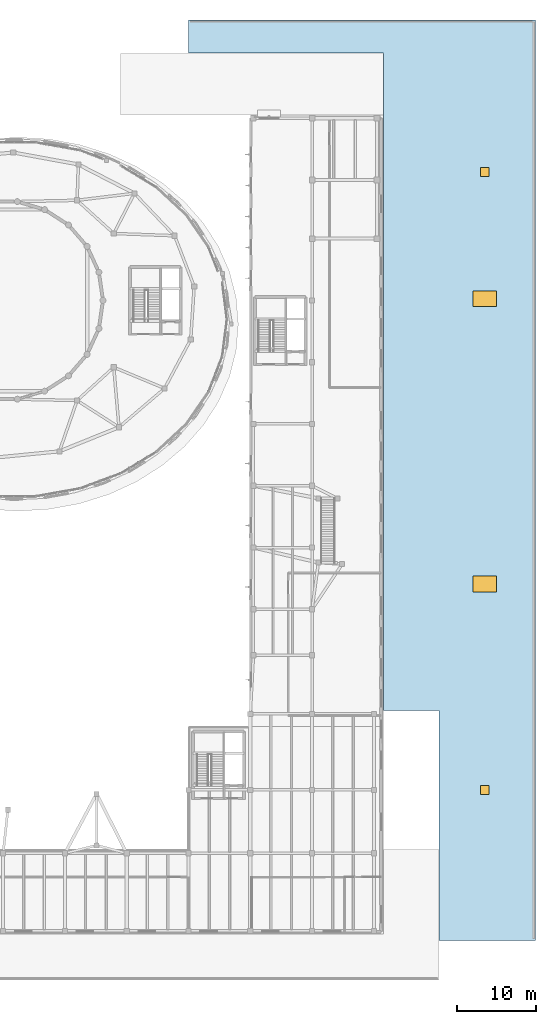
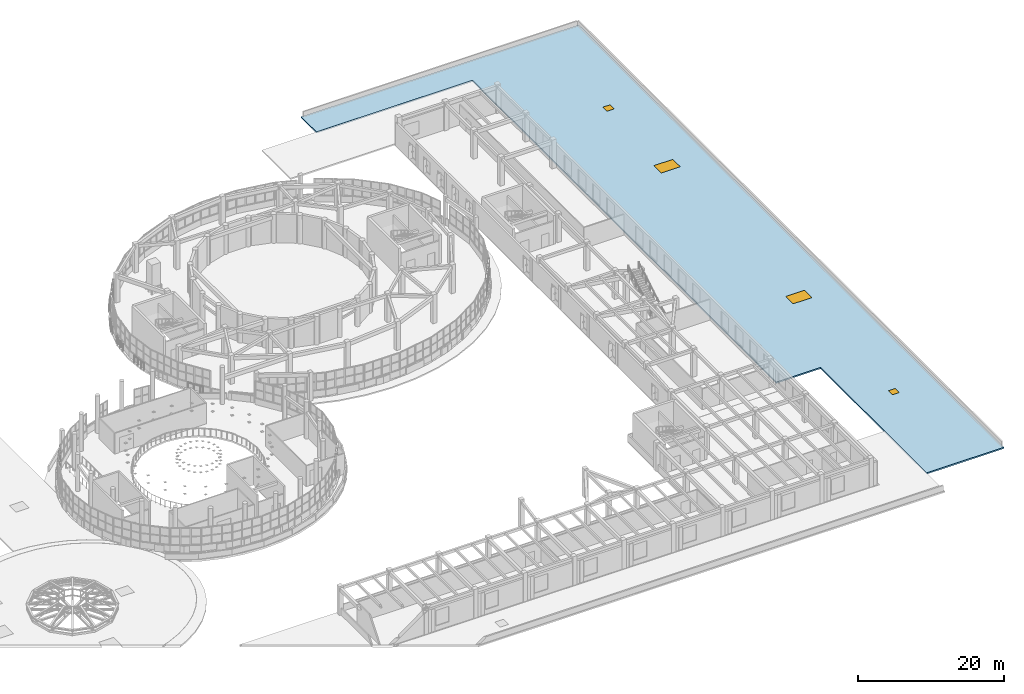
# One storey, part 80 of 105: 2 doors, 2 windows, 1 slab, 4 openings.
"""IFC4 building model written with IfcOpenShell, lengths in metres."""

from ifc_helpers import new_model, si_unit, direction, frame, origin, origin_2d, place, context, subcontext, project, spatial, polyline, rectangle, outline, extrude, material, layer, layer_set, type_object, element, fill, save


model = new_model("IFC4")

# Units and contexts
model_context = context("Model", 3, precision=1e-05, world=origin(), true_north=direction((0.0, 1.0)))
body_context = subcontext(model_context, "Body", "Model", "MODEL_VIEW")
ifc_project = project(units=[si_unit("LENGTHUNIT", "METRE"), si_unit("AREAUNIT", "SQUARE_METRE"), si_unit("VOLUMEUNIT", "CUBIC_METRE"), si_unit("PLANEANGLEUNIT", "RADIAN"), si_unit("MASSUNIT", "GRAM", prefix="KILO")], contexts=[model_context])

# Site, building, storey
site_placement = place(None, origin())
site = spatial("IfcSite", under=ifc_project, at=site_placement, CompositionType="ELEMENT")
building_placement = place(site_placement, origin())
building = spatial("IfcBuilding", under=site, at=building_placement, Name="Pelvatis Terrace Science Centre", CompositionType="ELEMENT")
storey_placement = place(building_placement, frame((0.0, 0.0, 10.199951171875)))
storey = spatial("IfcBuildingStorey", under=building, at=storey_placement, Name="L02", CompositionType="ELEMENT", Elevation=10.199951171875)

# Slab, openings, windows, doors
ifc_material_1 = material(Name="Concrete C35/45", Category="concrete")
ifc_layer = layer(ifc_material_1, 0.236083984375)
ifc_layer_set = layer_set([ifc_layer], Name="Concrete C35/45")
slab_type = type_object("IfcSlabType", Name="SLB-ROOF-236", PredefinedType="ROOF", material=ifc_layer_set)
slab_placement = place(storey_placement, frame((0.0, 0.0, -0.23583984375)))
slab = element("IfcSlab", 1, at=slab_placement, inside=storey, type_object=slab_type, Name="L02 East and North street colonnade roof slab", PredefinedType="ROOF", context=body_context, shape_type="SweptSolid", body=[
    extrude(outline(polyline([(132.60009765625, 121.199951171875), (176.39990234375, 121.199951171875), (176.39990234375, 5.0), (164.219970703125, 5.0), (164.199951171875, 34.0), (157.219970703125, 34.0), (157.218505859375, 117.0078125), (132.60009765625, 117.02001953125), (132.60009765625, 121.199951171875)])), origin(), (0.0, 0.0, 1.0), 0.23583984375),
])
opening_1_placement = place(slab_placement, frame((170.0, 50.0, 0.0)))
opening_1 = element("IfcOpeningElement", 2, at=opening_1_placement, cuts=slab, Name="Opening SKY-05", PredefinedType="OPENING", context=body_context, shape_type="SweptSolid", body=[
    extrude(rectangle(XDim=3.0, YDim=2.0, at=origin_2d()), origin(), (0.0, 0.0, 1.0), 0.23583984375),
])
opening_2_placement = place(slab_placement, frame((170.0, 86.0, 0.0)))
opening_2 = element("IfcOpeningElement", 3, at=opening_2_placement, cuts=slab, Name="Opening SKY-06", PredefinedType="OPENING", context=body_context, shape_type="SweptSolid", body=[
    extrude(rectangle(XDim=3.0, YDim=2.0, at=origin_2d()), origin(), (0.0, 0.0, 1.0), 0.23583984375),
])
opening_3_placement = place(slab_placement, frame((170.0, 24.0, 0.0)))
opening_3 = element("IfcOpeningElement", 4, at=opening_3_placement, cuts=slab, Name="Opening TD-02", PredefinedType="OPENING", context=body_context, shape_type="SweptSolid", body=[
    extrude(rectangle(XDim=1.10009765625, YDim=1.10009765625, at=origin_2d()), origin(), (0.0, 0.0, 1.0), 0.23583984375),
])
opening_4_placement = place(slab_placement, frame((170.0, 102.0, 0.0)))
opening_4 = element("IfcOpeningElement", 5, at=opening_4_placement, cuts=slab, Name="Opening TD-07", PredefinedType="OPENING", context=body_context, shape_type="SweptSolid", body=[
    extrude(rectangle(XDim=1.10009765625, YDim=1.10009765625, at=origin_2d()), origin(), (0.0, 0.0, 1.0), 0.23583984375),
])
ifc_material_2 = material(Name="Bronze-anodised aluminium and laminated low-e glass", Category="aluminium")
window_type = type_object("IfcWindowType", Name="SKY-MOD-3000x2000", PartitioningType="SINGLE_PANEL", PredefinedType="SKYLIGHT", material=ifc_material_2)
window_1_placement = place(opening_1_placement, frame((0.0, 0.0, 0.185791015625)))
window_1 = element("IfcWindow", 6, at=window_1_placement, inside=storey, type_object=window_type, Name="Roof skylight SKY-05", OverallHeight=2.0, OverallWidth=3.0, PartitioningType="SINGLE_PANEL", PredefinedType="SKYLIGHT", context=body_context, shape_type="SweptSolid", body=[
    extrude(rectangle(XDim=3.0, YDim=2.0, at=origin_2d()), origin(), (0.0, 0.0, 1.0), 0.050048828125),
])
fill(opening_1, window_1)
window_2_placement = place(opening_2_placement, frame((0.0, 0.0, 0.185791015625)))
window_2 = element("IfcWindow", 7, at=window_2_placement, inside=storey, type_object=window_type, Name="Roof skylight SKY-06", OverallHeight=2.0, OverallWidth=3.0, PartitioningType="SINGLE_PANEL", PredefinedType="SKYLIGHT", context=body_context, shape_type="SweptSolid", body=[
    extrude(rectangle(XDim=3.0, YDim=2.0, at=origin_2d()), origin(), (0.0, 0.0, 1.0), 0.050048828125),
])
fill(opening_2, window_2)
ifc_material_3 = material(Name="Insulated aluminium roof maintenance access hatch", Category="aluminium")
door_type = type_object("IfcDoorType", Name="TD-ROOF-1100x1100", OperationType="NOTDEFINED", PredefinedType="TRAPDOOR", material=ifc_material_3)
door_1_placement = place(opening_3_placement, frame((0.0, 0.0, 0.185791015625)))
door_1 = element("IfcDoor", 8, at=door_1_placement, inside=storey, type_object=door_type, Name="Roof maintenance access hatch TD-02", OperationType="SINGLE_SWING_LEFT", OverallHeight=1.10009765625, OverallWidth=1.10009765625, PredefinedType="TRAPDOOR", context=body_context, shape_type="SweptSolid", body=[
    extrude(rectangle(XDim=1.10009765625, YDim=1.10009765625, at=origin_2d()), origin(), (0.0, 0.0, 1.0), 0.050048828125),
])
fill(opening_3, door_1)
door_2_placement = place(opening_4_placement, frame((0.0, 0.0, 0.185791015625)))
door_2 = element("IfcDoor", 9, at=door_2_placement, inside=storey, type_object=door_type, Name="Roof maintenance access hatch TD-07", OperationType="SINGLE_SWING_LEFT", OverallHeight=1.10009765625, OverallWidth=1.10009765625, PredefinedType="TRAPDOOR", context=body_context, shape_type="SweptSolid", body=[
    extrude(rectangle(XDim=1.10009765625, YDim=1.10009765625, at=origin_2d()), origin(), (0.0, 0.0, 1.0), 0.050048828125),
])
fill(opening_4, door_2)

save(model, "model.ifc")
